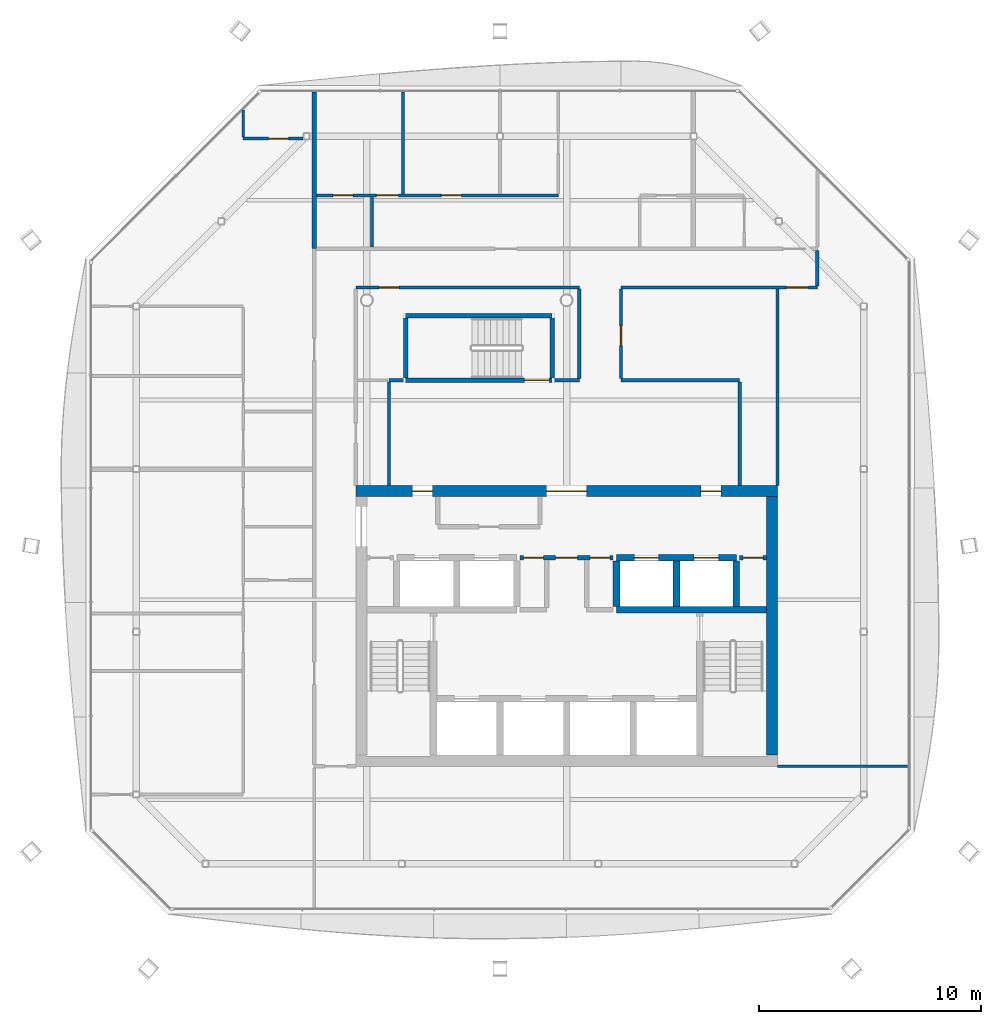
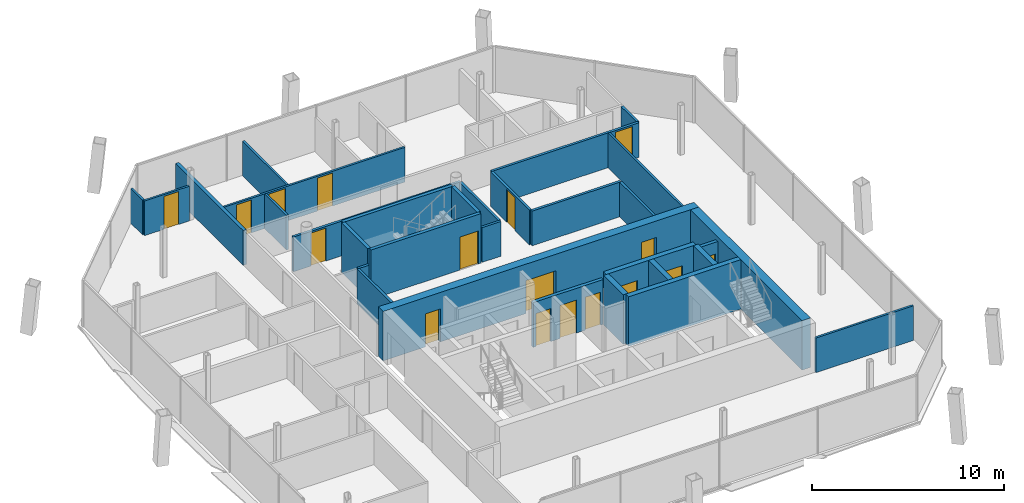
# One storey, part 13 of 17: 31 walls, 17 doors, 17 openings.
"""IFC4 building model written with IfcOpenShell, lengths in metres."""

from ifc_helpers import new_model, si_unit, direction, frame, frame_2d, origin, place, context, subcontext, project, spatial, rectangle, extrude, material, layer, layer_set, type_object, element, fill, save


model = new_model("IFC4")

# Units and contexts
model_context = context("Model", 3, precision=1e-05, world=origin(), true_north=direction((0.0, 1.0)))
body_context = subcontext(model_context, "Body", "Model", "MODEL_VIEW")
ifc_project = project(units=[si_unit("LENGTHUNIT", "METRE"), si_unit("AREAUNIT", "SQUARE_METRE"), si_unit("VOLUMEUNIT", "CUBIC_METRE"), si_unit("PLANEANGLEUNIT", "RADIAN"), si_unit("MASSUNIT", "GRAM", prefix="KILO")], contexts=[model_context])

# Site, building, storey
site_placement = place(None, origin())
site = spatial("IfcSite", under=ifc_project, at=site_placement, CompositionType="ELEMENT")
building_placement = place(site_placement, origin())
building = spatial("IfcBuilding", under=site, at=building_placement, Name="Tskaro Facet Tower", CompositionType="ELEMENT")
storey_placement = place(building_placement, frame((0.0, 0.0, 232.949951171875)))
storey = spatial("IfcBuildingStorey", under=building, at=storey_placement, Name="L60", CompositionType="ELEMENT", Elevation=232.949951171875)

# Wall
ifc_material_1 = material(Name="Concrete C60/75", Category="concrete")
ifc_layer_1 = layer(ifc_material_1, 0.300048828125, Name="Concrete C60/75")
ifc_layer_set_1 = layer_set([ifc_layer_1], Name="Concrete C60/75")
wall_type_1 = type_object("IfcWallType", Name="CORE-SHAFT", PredefinedType="SHEAR", material=ifc_layer_set_1)
wall_1_placement = place(storey_placement, frame((2.25, -4.949951171875, 0.0), z_axis=(0.0, 0.0, 1.0), x_axis=(1.0, 0.0, 0.0)))
element("IfcWall", 1, at=wall_1_placement, inside=storey, type_object=wall_type_1, Name="Shaft wall W011", PredefinedType="SHEAR", context=body_context, shape_type="SweptSolid", body=[
    extrude(rectangle(XDim=6.75, YDim=0.300048828125, at=frame_2d((3.375, 0.0))), origin(), (0.0, 0.0, 1.0), 3.150146484375),
])

# Wall, openings, doors
wall_2_placement = place(storey_placement, frame((2.25, -2.60009765625, 0.0), z_axis=(0.0, 0.0, 1.0), x_axis=(1.0, 0.0, 0.0)))
wall_2 = element("IfcWall", 2, at=wall_2_placement, inside=storey, type_object=wall_type_1, Name="Shaft wall W016", PredefinedType="SHEAR", context=body_context, shape_type="SweptSolid", body=[
    extrude(rectangle(XDim=5.39990234375, YDim=0.300048828125, at=frame_2d((2.699951171875, 0.0))), origin(), (0.0, 0.0, 1.0), 3.150146484375),
])
opening_1_placement = place(wall_2_placement, frame((0.800048828125, 0.0, 0.0)))
opening_1 = element("IfcOpeningElement", 3, at=opening_1_placement, cuts=wall_2, Name="Opening LD-HB3", PredefinedType="OPENING", context=body_context, shape_type="SweptSolid", body=[
    extrude(rectangle(XDim=1.10009765625, YDim=2.10009765625, at=frame_2d((0.550048828125, 1.050048828125))), frame((0.0, 0.159912109375, 0.0), z_axis=(0.0, -1.0, 0.0), x_axis=(1.0, 0.0, 0.0)), (0.0, 0.0, 1.0), 0.320068359375),
])
opening_2_placement = place(wall_2_placement, frame((3.5, 0.0, 0.0)))
opening_2 = element("IfcOpeningElement", 4, at=opening_2_placement, cuts=wall_2, Name="Opening LD-HB4", PredefinedType="OPENING", context=body_context, shape_type="SweptSolid", body=[
    extrude(rectangle(XDim=1.10009765625, YDim=2.10009765625, at=frame_2d((0.550048828125, 1.050048828125))), frame((0.0, 0.159912109375, 0.0), z_axis=(0.0, -1.0, 0.0), x_axis=(1.0, 0.0, 0.0)), (0.0, 0.0, 1.0), 0.320068359375),
])
ifc_material_2 = material(Name="Stainless steel", Category="steel")
door_type_1 = type_object("IfcDoorType", Name="D-LANDING", OperationType="NOTDEFINED", PredefinedType="DOOR", material=ifc_material_2)
door_1_placement = place(opening_1_placement, origin())
door_1 = element("IfcDoor", 5, at=door_1_placement, inside=storey, type_object=door_type_1, Name="Landing door HB3", OperationType="DOUBLE_DOOR_SLIDING", OverallHeight=2.10009765625, OverallWidth=1.10009765625, PredefinedType="DOOR", context=body_context, shape_type="SweptSolid", body=[
    extrude(rectangle(XDim=1.10009765625, YDim=2.10009765625, at=frame_2d((0.550048828125, 1.050048828125))), frame((0.0, 0.02490234375, 0.0), z_axis=(0.0, -1.0, 0.0), x_axis=(1.0, 0.0, 0.0)), (0.0, 0.0, 1.0), 0.050048828125),
])
fill(opening_1, door_1)
door_2_placement = place(opening_2_placement, origin())
door_2 = element("IfcDoor", 6, at=door_2_placement, inside=storey, type_object=door_type_1, Name="Landing door HB4", OperationType="DOUBLE_DOOR_SLIDING", OverallHeight=2.10009765625, OverallWidth=1.10009765625, PredefinedType="DOOR", context=body_context, shape_type="SweptSolid", body=[
    extrude(rectangle(XDim=1.10009765625, YDim=2.10009765625, at=frame_2d((0.550048828125, 1.050048828125))), frame((0.0, 0.02490234375, 0.0), z_axis=(0.0, -1.0, 0.0), x_axis=(1.0, 0.0, 0.0)), (0.0, 0.0, 1.0), 0.050048828125),
])
fill(opening_2, door_2)

# Walls
for number, where, z_axis, x_axis, name in (
    (7, (2.25, -4.800048828125, 0.0), (0.0, 0.0, 1.0), (0.0, 1.0, 0.0), "Shaft wall W063"),
    (8, (4.949951171875, -4.800048828125, 0.0), (0.0, 0.0, 1.0), (0.0, 1.0, 0.0), "Shaft wall W067"),
    (9, (7.64990234375, -4.800048828125, 0.0), (0.0, 0.0, 1.0), (0.0, 1.0, 0.0), "Shaft wall W071"),
):
    element("IfcWall", number, at=place(storey_placement, frame(where, z_axis=z_axis, x_axis=x_axis)), inside=storey, type_object=wall_type_1, Name=name, PredefinedType="SHEAR", context=body_context, shape_type="SweptSolid", body=[
        extrude(rectangle(XDim=2.050048828125, YDim=0.300048828125, at=frame_2d((1.02490234375, 0.0))), origin(), (0.0, 0.0, 1.0), 3.150146484375),
    ])

# Wall, openings, doors
ifc_material_3 = material(Name="Concrete C20/25", Category="concrete")
ifc_layer_2 = layer(ifc_material_3, 0.199951171875, Name="Concrete C20/25")
ifc_layer_set_2 = layer_set([ifc_layer_2], Name="Concrete C20/25")
wall_type_2 = type_object("IfcWallType", Name="CORE-WALL", PredefinedType="SOLIDWALL", material=ifc_layer_set_2)
wall_3_placement = place(storey_placement, frame((2.10009765625, -2.60009765625, 0.0), z_axis=(0.0, 0.0, 1.0), x_axis=(-1.0, 0.0, 0.0)))
wall_3 = element("IfcWall", 10, at=wall_3_placement, inside=storey, type_object=wall_type_2, Name="Core room wall W015", PredefinedType="SOLIDWALL", context=body_context, shape_type="SweptSolid", body=[
    extrude(rectangle(XDim=4.2001953125, YDim=0.199951171875, at=frame_2d((2.10009765625, 0.0))), origin(), (0.0, 0.0, 1.0), 2.85009765625),
])
opening_3_placement = place(wall_3_placement, frame((1.60009765625, 0.0, 0.0)))
opening_3 = element("IfcOpeningElement", 11, at=opening_3_placement, cuts=wall_3, Name="Opening FL-D1", PredefinedType="OPENING", context=body_context, shape_type="SweptSolid", body=[
    extrude(rectangle(XDim=1.0, YDim=2.10009765625, at=frame_2d((0.5, 1.050048828125))), frame((0.0, 0.10986328125, 0.0), z_axis=(0.0, -1.0, 0.0), x_axis=(1.0, 0.0, 0.0)), (0.0, 0.0, 1.0), 0.219970703125),
])
opening_4_placement = place(wall_3_placement, frame((3.14990234375, 0.0, 0.0)))
opening_4 = element("IfcOpeningElement", 12, at=opening_4_placement, cuts=wall_3, Name="Opening T17-D08", PredefinedType="OPENING", context=body_context, shape_type="SweptSolid", body=[
    extrude(rectangle(XDim=0.89990234375, YDim=2.10009765625, at=frame_2d((0.449951171875, 1.050048828125))), frame((0.0, 0.10986328125, 0.0), z_axis=(0.0, -1.0, 0.0), x_axis=(1.0, 0.0, 0.0)), (0.0, 0.0, 1.0), 0.219970703125),
])
opening_5_placement = place(wall_3_placement, frame((0.14990234375, 0.0, 0.0)))
opening_5 = element("IfcOpeningElement", 13, at=opening_5_placement, cuts=wall_3, Name="Opening T17-D09", PredefinedType="OPENING", context=body_context, shape_type="SweptSolid", body=[
    extrude(rectangle(XDim=0.89990234375, YDim=2.10009765625, at=frame_2d((0.449951171875, 1.050048828125))), frame((0.0, 0.10986328125, 0.0), z_axis=(0.0, -1.0, 0.0), x_axis=(1.0, 0.0, 0.0)), (0.0, 0.0, 1.0), 0.219970703125),
])
ifc_material_4 = material(Name="Steel", Category="steel")
door_type_2 = type_object("IfcDoorType", Name="D-LOBBY", OperationType="NOTDEFINED", PredefinedType="DOOR", material=ifc_material_4)
door_3_placement = place(opening_3_placement, origin())
door_3 = element("IfcDoor", 14, at=door_3_placement, inside=storey, type_object=door_type_2, Name="Lobby door FL", OperationType="SINGLE_SWING_RIGHT", OverallHeight=2.10009765625, OverallWidth=1.0, PredefinedType="DOOR", context=body_context, shape_type="SweptSolid", body=[
    extrude(rectangle(XDim=1.0, YDim=2.10009765625, at=frame_2d((0.5, 1.050048828125))), frame((0.0, 0.02490234375, 0.0), z_axis=(0.0, -1.0, 0.0), x_axis=(1.0, 0.0, 0.0)), (0.0, 0.0, 1.0), 0.050048828125),
])
fill(opening_3, door_3)
ifc_material_5 = material(Name="Timber", Category="wood")
door_type_3 = type_object("IfcDoorType", Name="D-ROOM", OperationType="NOTDEFINED", PredefinedType="DOOR", material=ifc_material_5)
door_4_placement = place(opening_4_placement, origin())
door_4 = element("IfcDoor", 15, at=door_4_placement, inside=storey, type_object=door_type_3, Name="Door T17-D08", OperationType="SINGLE_SWING_RIGHT", OverallHeight=2.10009765625, OverallWidth=0.89990234375, PredefinedType="DOOR", context=body_context, shape_type="SweptSolid", body=[
    extrude(rectangle(XDim=0.89990234375, YDim=2.10009765625, at=frame_2d((0.449951171875, 1.050048828125))), frame((0.0, 0.02490234375, 0.0), z_axis=(0.0, -1.0, 0.0), x_axis=(1.0, 0.0, 0.0)), (0.0, 0.0, 1.0), 0.050048828125),
])
fill(opening_4, door_4)
door_5_placement = place(opening_5_placement, origin())
door_5 = element("IfcDoor", 16, at=door_5_placement, inside=storey, type_object=door_type_3, Name="Door T17-D09", OperationType="SINGLE_SWING_RIGHT", OverallHeight=2.10009765625, OverallWidth=0.89990234375, PredefinedType="DOOR", context=body_context, shape_type="SweptSolid", body=[
    extrude(rectangle(XDim=0.89990234375, YDim=2.10009765625, at=frame_2d((0.449951171875, 1.050048828125))), frame((0.0, 0.02490234375, 0.0), z_axis=(0.0, -1.0, 0.0), x_axis=(1.0, 0.0, 0.0)), (0.0, 0.0, 1.0), 0.050048828125),
])
fill(opening_5, door_5)

# Wall, opening, door
wall_4_placement = place(storey_placement, frame((9.0, -2.60009765625, 0.0), z_axis=(0.0, 0.0, 1.0), x_axis=(-1.0, 0.0, 0.0)))
wall_4 = element("IfcWall", 17, at=wall_4_placement, inside=storey, type_object=wall_type_2, Name="Core room wall W017", PredefinedType="SOLIDWALL", context=body_context, shape_type="SweptSolid", body=[
    extrude(rectangle(XDim=1.199951171875, YDim=0.199951171875, at=frame_2d((0.60009765625, 0.0))), origin(), (0.0, 0.0, 1.0), 2.85009765625),
])
opening_6_placement = place(wall_4_placement, frame((0.14990234375, 0.0, 0.0)))
opening_6 = element("IfcOpeningElement", 18, at=opening_6_placement, cuts=wall_4, Name="Opening T17-D10", PredefinedType="OPENING", context=body_context, shape_type="SweptSolid", body=[
    extrude(rectangle(XDim=0.89990234375, YDim=2.10009765625, at=frame_2d((0.449951171875, 1.050048828125))), frame((0.0, 0.10986328125, 0.0), z_axis=(0.0, -1.0, 0.0), x_axis=(1.0, 0.0, 0.0)), (0.0, 0.0, 1.0), 0.219970703125),
])
door_6_placement = place(opening_6_placement, origin())
door_6 = element("IfcDoor", 19, at=door_6_placement, inside=storey, type_object=door_type_3, Name="Door T17-D10", OperationType="SINGLE_SWING_RIGHT", OverallHeight=2.10009765625, OverallWidth=0.89990234375, PredefinedType="DOOR", context=body_context, shape_type="SweptSolid", body=[
    extrude(rectangle(XDim=0.89990234375, YDim=2.10009765625, at=frame_2d((0.449951171875, 1.050048828125))), frame((0.0, 0.02490234375, 0.0), z_axis=(0.0, -1.0, 0.0), x_axis=(1.0, 0.0, 0.0)), (0.0, 0.0, 1.0), 0.050048828125),
])
fill(opening_6, door_6)

# Wall, openings, doors
ifc_material_6 = material(Name="Concrete C40/50", Category="concrete")
ifc_layer_3 = layer(ifc_material_6, 0.5, Name="Concrete C40/50")
ifc_layer_set_3 = layer_set([ifc_layer_3], Name="Concrete C40/50")
wall_type_3 = type_object("IfcWallType", Name="Core wall 500", PredefinedType="SHEAR", material=ifc_layer_set_3)
wall_5_placement = place(storey_placement, frame((-9.5, 0.39990234375, 0.0), z_axis=(0.0, 0.0, 1.0), x_axis=(1.0, 0.0, 0.0)))
wall_5 = element("IfcWall", 20, at=wall_5_placement, inside=storey, type_object=wall_type_3, Name="Core wall CW-Z3N", PredefinedType="SHEAR", context=body_context, shape_type="SweptSolid", body=[
    extrude(rectangle(XDim=19.0, YDim=0.5, at=frame_2d((9.5, 0.0))), origin(), (0.0, 0.0, 1.0), 3.150146484375),
])
opening_7_placement = place(wall_5_placement, frame((8.60009765625, 0.0, 0.0)))
opening_7 = element("IfcOpeningElement", 21, at=opening_7_placement, cuts=wall_5, Name="Opening T17-D15", PredefinedType="OPENING", context=body_context, shape_type="SweptSolid", body=[
    extrude(rectangle(XDim=1.800048828125, YDim=2.10009765625, at=frame_2d((0.89990234375, 1.050048828125))), frame((0.0, 0.260009765625, 0.0), z_axis=(0.0, -1.0, 0.0), x_axis=(1.0, 0.0, 0.0)), (0.0, 0.0, 1.0), 0.52001953125),
])
opening_8_placement = place(wall_5_placement, frame((2.550048828125, 0.0, 0.0)))
opening_8 = element("IfcOpeningElement", 22, at=opening_8_placement, cuts=wall_5, Name="Opening T17-D14", PredefinedType="OPENING", context=body_context, shape_type="SweptSolid", body=[
    extrude(rectangle(XDim=0.89990234375, YDim=2.10009765625, at=frame_2d((0.449951171875, 1.050048828125))), frame((0.0, 0.260009765625, 0.0), z_axis=(0.0, -1.0, 0.0), x_axis=(1.0, 0.0, 0.0)), (0.0, 0.0, 1.0), 0.52001953125),
])
opening_9_placement = place(wall_5_placement, frame((15.550048828125, 0.0, 0.0)))
opening_9 = element("IfcOpeningElement", 23, at=opening_9_placement, cuts=wall_5, Name="Opening T17-D16", PredefinedType="OPENING", context=body_context, shape_type="SweptSolid", body=[
    extrude(rectangle(XDim=0.89990234375, YDim=2.10009765625, at=frame_2d((0.449951171875, 1.050048828125))), frame((0.0, 0.260009765625, 0.0), z_axis=(0.0, -1.0, 0.0), x_axis=(1.0, 0.0, 0.0)), (0.0, 0.0, 1.0), 0.52001953125),
])
door_type_4 = type_object("IfcDoorType", Name="D-CORE-PAIR", OperationType="NOTDEFINED", PredefinedType="DOOR", material=ifc_material_4)
door_7_placement = place(opening_7_placement, origin())
door_7 = element("IfcDoor", 24, at=door_7_placement, inside=storey, type_object=door_type_4, Name="Door T17-D15", OperationType="DOUBLE_DOOR_SINGLE_SWING", OverallHeight=2.10009765625, OverallWidth=1.800048828125, PredefinedType="DOOR", context=body_context, shape_type="SweptSolid", body=[
    extrude(rectangle(XDim=1.800048828125, YDim=2.10009765625, at=frame_2d((0.89990234375, 1.050048828125))), frame((0.0, 0.02490234375, 0.0), z_axis=(0.0, -1.0, 0.0), x_axis=(1.0, 0.0, 0.0)), (0.0, 0.0, 1.0), 0.050048828125),
])
fill(opening_7, door_7)
door_8_placement = place(opening_8_placement, origin())
door_8 = element("IfcDoor", 25, at=door_8_placement, inside=storey, type_object=door_type_3, Name="Door T17-D14", OperationType="SINGLE_SWING_LEFT", OverallHeight=2.10009765625, OverallWidth=0.89990234375, PredefinedType="DOOR", context=body_context, shape_type="SweptSolid", body=[
    extrude(rectangle(XDim=0.89990234375, YDim=2.10009765625, at=frame_2d((0.449951171875, 1.050048828125))), frame((0.0, 0.02490234375, 0.0), z_axis=(0.0, -1.0, 0.0), x_axis=(1.0, 0.0, 0.0)), (0.0, 0.0, 1.0), 0.050048828125),
])
fill(opening_8, door_8)
door_9_placement = place(opening_9_placement, origin())
door_9 = element("IfcDoor", 26, at=door_9_placement, inside=storey, type_object=door_type_3, Name="Door T17-D16", OperationType="SINGLE_SWING_LEFT", OverallHeight=2.10009765625, OverallWidth=0.89990234375, PredefinedType="DOOR", context=body_context, shape_type="SweptSolid", body=[
    extrude(rectangle(XDim=0.89990234375, YDim=2.10009765625, at=frame_2d((0.449951171875, 1.050048828125))), frame((0.0, 0.02490234375, 0.0), z_axis=(0.0, -1.0, 0.0), x_axis=(1.0, 0.0, 0.0)), (0.0, 0.0, 1.0), 0.050048828125),
])
fill(opening_9, door_9)

# Walls
wall_6_placement = place(storey_placement, frame((9.25, -11.5, 0.0), z_axis=(0.0, 0.0, 1.0), x_axis=(0.0, 1.0, 0.0)))
element("IfcWall", 27, at=wall_6_placement, inside=storey, type_object=wall_type_3, Name="Core wall CW-Z3E", PredefinedType="SHEAR", context=body_context, shape_type="SweptSolid", body=[
    extrude(rectangle(XDim=11.64990234375, YDim=0.5, at=frame_2d((5.824951171875, 0.0))), origin(), (0.0, 0.0, 1.0), 3.150146484375),
])
ifc_material_7 = material(Name="Gypsum board on steel studs", Category="steel")
ifc_layer_4 = layer(ifc_material_7, 0.125, Name="Gypsum board on steel studs")
ifc_layer_set_4 = layer_set([ifc_layer_4], Name="Gypsum board on steel studs")
wall_type_4 = type_object("IfcWallType", Name="PART", PredefinedType="PARTITIONING", material=ifc_layer_set_4)
wall_7_placement = place(storey_placement, frame((9.5, -12.0, 0.0), z_axis=(0.0, 0.0, 1.0), x_axis=(1.0, 0.0, 0.0)))
element("IfcWall", 28, at=wall_7_placement, inside=storey, type_object=wall_type_4, Name="Partition W004", PredefinedType="PARTITIONING", context=body_context, shape_type="SweptSolid", body=[
    extrude(rectangle(XDim=5.886962890625, YDim=0.125, at=frame_2d((2.943359375, 0.0))), origin(), (0.0, 0.0, 1.0), 2.2099609375),
])

# Wall, openings, doors
wall_8_placement = place(storey_placement, frame((-11.27490234375, 13.72509765625, 0.0), z_axis=(0.0, 0.0, 1.0), x_axis=(1.0, 0.0, 0.0)))
wall_8 = element("IfcWall", 29, at=wall_8_placement, inside=storey, type_object=wall_type_4, Name="Partition W035", PredefinedType="PARTITIONING", context=body_context, shape_type="SweptSolid", body=[
    extrude(rectangle(XDim=10.89990234375, YDim=0.125, at=frame_2d((5.449951171875, 0.0))), origin(), (0.0, 0.0, 1.0), 2.2099609375),
])
opening_10_placement = place(wall_8_placement, frame((5.637451171875, 0.0, 0.0)))
opening_10 = element("IfcOpeningElement", 30, at=opening_10_placement, cuts=wall_8, Name="Opening T17-D30", PredefinedType="OPENING", context=body_context, shape_type="SweptSolid", body=[
    extrude(rectangle(XDim=0.89990234375, YDim=2.10009765625, at=frame_2d((0.449951171875, 1.050048828125))), frame((0.0, 0.072509765625, 0.0), z_axis=(0.0, -1.0, 0.0), x_axis=(1.0, 0.0, 0.0)), (0.0, 0.0, 1.0), 0.14501953125),
])
opening_11_placement = place(wall_8_placement, frame((2.699951171875, 0.0, 0.0)))
opening_11 = element("IfcOpeningElement", 31, at=opening_11_placement, cuts=wall_8, Name="Opening T17-D29", PredefinedType="OPENING", context=body_context, shape_type="SweptSolid", body=[
    extrude(rectangle(XDim=1.0, YDim=2.10009765625, at=frame_2d((0.5, 1.050048828125))), frame((0.0, 0.072509765625, 0.0), z_axis=(0.0, -1.0, 0.0), x_axis=(1.0, 0.0, 0.0)), (0.0, 0.0, 1.0), 0.14501953125),
])
opening_12_placement = place(wall_8_placement, frame((0.75, 0.0, 0.0)))
opening_12 = element("IfcOpeningElement", 32, at=opening_12_placement, cuts=wall_8, Name="Opening T17-D28", PredefinedType="OPENING", context=body_context, shape_type="SweptSolid", body=[
    extrude(rectangle(XDim=0.89990234375, YDim=2.10009765625, at=frame_2d((0.449951171875, 1.050048828125))), frame((0.0, 0.072509765625, 0.0), z_axis=(0.0, -1.0, 0.0), x_axis=(1.0, 0.0, 0.0)), (0.0, 0.0, 1.0), 0.14501953125),
])
door_10_placement = place(opening_10_placement, origin())
door_10 = element("IfcDoor", 33, at=door_10_placement, inside=storey, type_object=door_type_3, Name="Door T17-D30", OperationType="SINGLE_SWING_LEFT", OverallHeight=2.10009765625, OverallWidth=0.89990234375, PredefinedType="DOOR", context=body_context, shape_type="SweptSolid", body=[
    extrude(rectangle(XDim=0.89990234375, YDim=2.10009765625, at=frame_2d((0.449951171875, 1.050048828125))), frame((0.0, 0.02490234375, 0.0), z_axis=(0.0, -1.0, 0.0), x_axis=(1.0, 0.0, 0.0)), (0.0, 0.0, 1.0), 0.050048828125),
])
fill(opening_10, door_10)
door_11_placement = place(opening_12_placement, origin())
door_11 = element("IfcDoor", 34, at=door_11_placement, inside=storey, type_object=door_type_3, Name="Door T17-D28", OperationType="SINGLE_SWING_RIGHT", OverallHeight=2.10009765625, OverallWidth=0.89990234375, PredefinedType="DOOR", context=body_context, shape_type="SweptSolid", body=[
    extrude(rectangle(XDim=0.89990234375, YDim=2.10009765625, at=frame_2d((0.449951171875, 1.050048828125))), frame((0.0, 0.02490234375, 0.0), z_axis=(0.0, -1.0, 0.0), x_axis=(1.0, 0.0, 0.0)), (0.0, 0.0, 1.0), 0.050048828125),
])
fill(opening_12, door_11)
door_type_5 = type_object("IfcDoorType", Name="D-ROOM-WIDE", OperationType="NOTDEFINED", PredefinedType="DOOR", material=ifc_material_5)
door_12_placement = place(opening_11_placement, origin())
door_12 = element("IfcDoor", 35, at=door_12_placement, inside=storey, type_object=door_type_5, Name="Door T17-D29", OperationType="SINGLE_SWING_RIGHT", OverallHeight=2.10009765625, OverallWidth=1.0, PredefinedType="DOOR", context=body_context, shape_type="SweptSolid", body=[
    extrude(rectangle(XDim=1.0, YDim=2.10009765625, at=frame_2d((0.5, 1.050048828125))), frame((0.0, 0.02490234375, 0.0), z_axis=(0.0, -1.0, 0.0), x_axis=(1.0, 0.0, 0.0)), (0.0, 0.0, 1.0), 0.050048828125),
])
fill(opening_11, door_12)

# Wall, opening, door
wall_9_placement = place(storey_placement, frame((-14.574951171875, 16.284912109375, 0.0), z_axis=(0.0, 0.0, 1.0), x_axis=(1.0, 0.0, 0.0)))
wall_9 = element("IfcWall", 36, at=wall_9_placement, inside=storey, type_object=wall_type_4, Name="Partition W037", PredefinedType="PARTITIONING", context=body_context, shape_type="SweptSolid", body=[
    extrude(rectangle(XDim=2.699951171875, YDim=0.125, at=frame_2d((1.35009765625, 0.0))), origin(), (0.0, 0.0, 1.0), 2.2099609375),
])
opening_13_placement = place(wall_9_placement, frame((1.14990234375, 0.0, 0.0)))
opening_13 = element("IfcOpeningElement", 37, at=opening_13_placement, cuts=wall_9, Name="Opening T17-D33", PredefinedType="OPENING", context=body_context, shape_type="SweptSolid", body=[
    extrude(rectangle(XDim=0.89990234375, YDim=2.10009765625, at=frame_2d((0.449951171875, 1.050048828125))), frame((0.0, 0.072509765625, 0.0), z_axis=(0.0, -1.0, 0.0), x_axis=(1.0, 0.0, 0.0)), (0.0, 0.0, 1.0), 0.14501953125),
])
door_13_placement = place(opening_13_placement, origin())
door_13 = element("IfcDoor", 38, at=door_13_placement, inside=storey, type_object=door_type_3, Name="Door T17-D33", OperationType="SINGLE_SWING_LEFT", OverallHeight=2.10009765625, OverallWidth=0.89990234375, PredefinedType="DOOR", context=body_context, shape_type="SweptSolid", body=[
    extrude(rectangle(XDim=0.89990234375, YDim=2.10009765625, at=frame_2d((0.449951171875, 1.050048828125))), frame((0.0, 0.02490234375, 0.0), z_axis=(0.0, -1.0, 0.0), x_axis=(1.0, 0.0, 0.0)), (0.0, 0.0, 1.0), 0.050048828125),
])
fill(opening_13, door_13)

# Walls
wall_10_placement = place(storey_placement, frame((-14.574951171875, 16.347412109375, 0.0), z_axis=(0.0, 0.0, 1.0), x_axis=(0.0, 1.0, 0.0)))
element("IfcWall", 39, at=wall_10_placement, inside=storey, type_object=wall_type_4, Name="Partition W039", PredefinedType="PARTITIONING", context=body_context, shape_type="SweptSolid", body=[
    extrude(rectangle(XDim=1.2236328125, YDim=0.125, at=frame_2d((0.61181640625, 0.0))), origin(), (0.0, 0.0, 1.0), 2.2099609375),
])
wall_11_placement = place(storey_placement, frame((-8.77490234375, 11.39990234375, 0.0), z_axis=(0.0, 0.0, 1.0), x_axis=(0.0, 1.0, 0.0)))
element("IfcWall", 40, at=wall_11_placement, inside=storey, type_object=wall_type_4, Name="Partition W044", PredefinedType="PARTITIONING", context=body_context, shape_type="SweptSolid", body=[
    extrude(rectangle(XDim=2.2626953125, YDim=0.125, at=frame_2d((1.13134765625, 0.0))), origin(), (0.0, 0.0, 1.0), 2.2099609375),
])
wall_12_placement = place(storey_placement, frame((-7.375, 13.78759765625, 0.0), z_axis=(0.0, 0.0, 1.0), x_axis=(0.0, 1.0, 0.0)))
element("IfcWall", 41, at=wall_12_placement, inside=storey, type_object=wall_type_4, Name="Partition W047", PredefinedType="PARTITIONING", context=body_context, shape_type="SweptSolid", body=[
    extrude(rectangle(XDim=4.597412109375, YDim=0.125, at=frame_2d((2.298828125, 0.0))), origin(), (0.0, 0.0, 1.0), 2.2099609375),
])
wall_13_placement = place(storey_placement, frame((9.5, 0.64990234375, 0.0), z_axis=(0.0, 0.0, 1.0), x_axis=(0.0, 1.0, 0.0)))
element("IfcWall", 42, at=wall_13_placement, inside=storey, type_object=wall_type_4, Name="Partition W074", PredefinedType="PARTITIONING", context=body_context, shape_type="SweptSolid", body=[
    extrude(rectangle(XDim=8.85009765625, YDim=0.125, at=frame_2d((4.425048828125, 0.0))), origin(), (0.0, 0.0, 1.0), 2.2099609375),
])
ifc_layer_5 = layer(ifc_material_7, 0.14990234375, Name="Gypsum board on steel studs")
ifc_layer_set_5 = layer_set([ifc_layer_5], Name="Gypsum board on steel studs")
wall_type_5 = type_object("IfcWallType", Name="PART-CORR", PredefinedType="PARTITIONING", material=ifc_layer_set_5)
wall_14_placement = place(storey_placement, frame((-8.0, 5.39990234375, 0.0), z_axis=(0.0, 0.0, 1.0), x_axis=(1.0, 0.0, 0.0)))
element("IfcWall", 43, at=wall_14_placement, inside=storey, type_object=wall_type_5, Name="Corridor wall W024", PredefinedType="PARTITIONING", context=body_context, shape_type="SweptSolid", body=[
    extrude(rectangle(XDim=0.64990234375, YDim=0.14990234375, at=frame_2d((0.324951171875, 0.0))), origin(), (0.0, 0.0, 1.0), 2.2099609375),
])
wall_15_placement = place(storey_placement, frame((-0.550048828125, 5.39990234375, 0.0), z_axis=(0.0, 0.0, 1.0), x_axis=(1.0, 0.0, 0.0)))
element("IfcWall", 44, at=wall_15_placement, inside=storey, type_object=wall_type_5, Name="Corridor wall W026", PredefinedType="PARTITIONING", context=body_context, shape_type="SweptSolid", body=[
    extrude(rectangle(XDim=1.125, YDim=0.14990234375, at=frame_2d((0.5625, 0.0))), origin(), (0.0, 0.0, 1.0), 2.2099609375),
])
wall_16_placement = place(storey_placement, frame((2.449951171875, 5.39990234375, 0.0), z_axis=(0.0, 0.0, 1.0), x_axis=(1.0, 0.0, 0.0)))
element("IfcWall", 45, at=wall_16_placement, inside=storey, type_object=wall_type_5, Name="Corridor wall W027", PredefinedType="PARTITIONING", context=body_context, shape_type="SweptSolid", body=[
    extrude(rectangle(XDim=5.35009765625, YDim=0.14990234375, at=frame_2d((2.675048828125, 0.0))), origin(), (0.0, 0.0, 1.0), 2.2099609375),
])

# Wall, opening, door
wall_17_placement = place(storey_placement, frame((0.574951171875, 9.574951171875, 0.0), z_axis=(0.0, 0.0, 1.0), x_axis=(-1.0, 0.0, 0.0)))
wall_17 = element("IfcWall", 46, at=wall_17_placement, inside=storey, type_object=wall_type_5, Name="Corridor wall W032", PredefinedType="PARTITIONING", context=body_context, shape_type="SweptSolid", body=[
    extrude(rectangle(XDim=10.074951171875, YDim=0.14990234375, at=frame_2d((5.03759765625, 0.0))), origin(), (0.0, 0.0, 1.0), 2.2099609375),
])
opening_14_placement = place(wall_17_placement, frame((8.125, 0.0, 0.0)))
opening_14 = element("IfcOpeningElement", 47, at=opening_14_placement, cuts=wall_17, Name="Opening T17-D23", PredefinedType="OPENING", context=body_context, shape_type="SweptSolid", body=[
    extrude(rectangle(XDim=0.89990234375, YDim=2.10009765625, at=frame_2d((0.449951171875, 1.050048828125))), frame((0.0, 0.0849609375, 0.0), z_axis=(0.0, -1.0, 0.0), x_axis=(1.0, 0.0, 0.0)), (0.0, 0.0, 1.0), 0.169921875),
])
door_14_placement = place(opening_14_placement, origin())
door_14 = element("IfcDoor", 48, at=door_14_placement, inside=storey, type_object=door_type_3, Name="Door T17-D23", OperationType="SINGLE_SWING_RIGHT", OverallHeight=2.10009765625, OverallWidth=0.89990234375, PredefinedType="DOOR", context=body_context, shape_type="SweptSolid", body=[
    extrude(rectangle(XDim=0.89990234375, YDim=2.10009765625, at=frame_2d((0.449951171875, 1.050048828125))), frame((0.0, 0.02490234375, 0.0), z_axis=(0.0, -1.0, 0.0), x_axis=(1.0, 0.0, 0.0)), (0.0, 0.0, 1.0), 0.050048828125),
])
fill(opening_14, door_14)

wall_18_placement = place(storey_placement, frame((11.300048828125, 9.574951171875, 0.0), z_axis=(0.0, 0.0, 1.0), x_axis=(-1.0, 0.0, 0.0)))
wall_18 = element("IfcWall", 49, at=wall_18_placement, inside=storey, type_object=wall_type_5, Name="Corridor wall W033", PredefinedType="PARTITIONING", context=body_context, shape_type="SweptSolid", body=[
    extrude(rectangle(XDim=8.85009765625, YDim=0.14990234375, at=frame_2d((4.425048828125, 0.0))), origin(), (0.0, 0.0, 1.0), 2.2099609375),
])
opening_15_placement = place(wall_18_placement, frame((0.39990234375, 0.0, 0.0)))
opening_15 = element("IfcOpeningElement", 50, at=opening_15_placement, cuts=wall_18, Name="Opening T17-D24", PredefinedType="OPENING", context=body_context, shape_type="SweptSolid", body=[
    extrude(rectangle(XDim=1.0, YDim=2.10009765625, at=frame_2d((0.5, 1.050048828125))), frame((0.0, 0.0849609375, 0.0), z_axis=(0.0, -1.0, 0.0), x_axis=(1.0, 0.0, 0.0)), (0.0, 0.0, 1.0), 0.169921875),
])
door_15_placement = place(opening_15_placement, origin())
door_15 = element("IfcDoor", 51, at=door_15_placement, inside=storey, type_object=door_type_5, Name="Door T17-D24", OperationType="SINGLE_SWING_RIGHT", OverallHeight=2.10009765625, OverallWidth=1.0, PredefinedType="DOOR", context=body_context, shape_type="SweptSolid", body=[
    extrude(rectangle(XDim=1.0, YDim=2.10009765625, at=frame_2d((0.5, 1.050048828125))), frame((0.0, 0.02490234375, 0.0), z_axis=(0.0, -1.0, 0.0), x_axis=(1.0, 0.0, 0.0)), (0.0, 0.0, 1.0), 0.050048828125),
])
fill(opening_15, door_15)

# Walls
wall_19_placement = place(storey_placement, frame((-8.0, 0.64990234375, 0.0), z_axis=(0.0, 0.0, 1.0), x_axis=(0.0, 1.0, 0.0)))
element("IfcWall", 52, at=wall_19_placement, inside=storey, type_object=wall_type_5, Name="Corridor wall W045", PredefinedType="PARTITIONING", context=body_context, shape_type="SweptSolid", body=[
    extrude(rectangle(XDim=4.675048828125, YDim=0.14990234375, at=frame_2d((2.33740234375, 0.0))), origin(), (0.0, 0.0, 1.0), 2.2099609375),
])
wall_20_placement = place(storey_placement, frame((0.574951171875, 5.47509765625, 0.0), z_axis=(0.0, 0.0, 1.0), x_axis=(0.0, 1.0, 0.0)))
element("IfcWall", 53, at=wall_20_placement, inside=storey, type_object=wall_type_5, Name="Corridor wall W061", PredefinedType="PARTITIONING", context=body_context, shape_type="SweptSolid", body=[
    extrude(rectangle(XDim=4.02490234375, YDim=0.14990234375, at=frame_2d((2.012451171875, 0.0))), origin(), (0.0, 0.0, 1.0), 2.2099609375),
])

# Wall, opening, door
wall_21_placement = place(storey_placement, frame((2.449951171875, 9.5, 0.0), z_axis=(0.0, 0.0, 1.0), x_axis=(0.0, -1.0, 0.0)))
wall_21 = element("IfcWall", 54, at=wall_21_placement, inside=storey, type_object=wall_type_5, Name="Corridor wall W064", PredefinedType="PARTITIONING", context=body_context, shape_type="SweptSolid", body=[
    extrude(rectangle(XDim=4.02490234375, YDim=0.14990234375, at=frame_2d((2.012451171875, 0.0))), origin(), (0.0, 0.0, 1.0), 2.2099609375),
])
opening_16_placement = place(wall_21_placement, frame((1.64990234375, 0.0, 0.0)))
opening_16 = element("IfcOpeningElement", 55, at=opening_16_placement, cuts=wall_21, Name="Opening T17-D21", PredefinedType="OPENING", context=body_context, shape_type="SweptSolid", body=[
    extrude(rectangle(XDim=0.89990234375, YDim=2.10009765625, at=frame_2d((0.449951171875, 1.050048828125))), frame((0.0, 0.0849609375, 0.0), z_axis=(0.0, -1.0, 0.0), x_axis=(1.0, 0.0, 0.0)), (0.0, 0.0, 1.0), 0.169921875),
])
door_16_placement = place(opening_16_placement, origin())
door_16 = element("IfcDoor", 56, at=door_16_placement, inside=storey, type_object=door_type_3, Name="Door T17-D21", OperationType="SINGLE_SWING_RIGHT", OverallHeight=2.10009765625, OverallWidth=0.89990234375, PredefinedType="DOOR", context=body_context, shape_type="SweptSolid", body=[
    extrude(rectangle(XDim=0.89990234375, YDim=2.10009765625, at=frame_2d((0.449951171875, 1.050048828125))), frame((0.0, 0.02490234375, 0.0), z_axis=(0.0, -1.0, 0.0), x_axis=(1.0, 0.0, 0.0)), (0.0, 0.0, 1.0), 0.050048828125),
])
fill(opening_16, door_16)

# Walls
wall_22_placement = place(storey_placement, frame((7.800048828125, 0.64990234375, 0.0), z_axis=(0.0, 0.0, 1.0), x_axis=(0.0, 1.0, 0.0)))
element("IfcWall", 57, at=wall_22_placement, inside=storey, type_object=wall_type_5, Name="Corridor wall W072", PredefinedType="PARTITIONING", context=body_context, shape_type="SweptSolid", body=[
    extrude(rectangle(XDim=4.675048828125, YDim=0.14990234375, at=frame_2d((2.33740234375, 0.0))), origin(), (0.0, 0.0, 1.0), 2.2099609375),
])
wall_23_placement = place(storey_placement, frame((11.300048828125, 9.64990234375, 0.0), z_axis=(0.0, 0.0, 1.0), x_axis=(0.0, 1.0, 0.0)))
element("IfcWall", 58, at=wall_23_placement, inside=storey, type_object=wall_type_5, Name="Corridor wall W075", PredefinedType="PARTITIONING", context=body_context, shape_type="SweptSolid", body=[
    extrude(rectangle(XDim=1.60009765625, YDim=0.14990234375, at=frame_2d((0.800048828125, 0.0))), origin(), (0.0, 0.0, 1.0), 2.2099609375),
])
ifc_layer_6 = layer(ifc_material_7, 0.199951171875, Name="Gypsum board on steel studs")
ifc_layer_set_6 = layer_set([ifc_layer_6], Name="Gypsum board on steel studs")
wall_type_6 = type_object("IfcWallType", Name="PART-DEMISING", PredefinedType="PARTITIONING", material=ifc_layer_set_6)
wall_24_placement = place(storey_placement, frame((-11.375, 11.324951171875, 0.0), z_axis=(0.0, 0.0, 1.0), x_axis=(0.0, 1.0, 0.0)))
element("IfcWall", 59, at=wall_24_placement, inside=storey, type_object=wall_type_6, Name="Guest room wall W042", PredefinedType="PARTITIONING", context=body_context, shape_type="SweptSolid", body=[
    extrude(rectangle(XDim=7.06005859375, YDim=0.199951171875, at=frame_2d((3.530029296875, 0.0))), origin(), (0.0, 0.0, 1.0), 2.2099609375),
])

# Wall, opening, door
ifc_layer_7 = layer(ifc_material_1, 0.199951171875, Name="Concrete C60/75")
ifc_layer_set_7 = layer_set([ifc_layer_7], Name="Concrete C60/75")
wall_type_7 = type_object("IfcWallType", Name="STAIR-WALL", PredefinedType="SHEAR", material=ifc_layer_set_7)
wall_25_placement = place(storey_placement, frame((-7.25, 5.39990234375, 0.0), z_axis=(0.0, 0.0, 1.0), x_axis=(1.0, 0.0, 0.0)))
wall_25 = element("IfcWall", 60, at=wall_25_placement, inside=storey, type_object=wall_type_7, Name="Stair wall W025", PredefinedType="SHEAR", context=body_context, shape_type="SweptSolid", body=[
    extrude(rectangle(XDim=6.60009765625, YDim=0.199951171875, at=frame_2d((3.300048828125, 0.0))), origin(), (0.0, 0.0, 1.0), 3.150146484375),
])
opening_17_placement = place(wall_25_placement, frame((5.35009765625, 0.0, 0.0)))
opening_17 = element("IfcOpeningElement", 61, at=opening_17_placement, cuts=wall_25, Name="Opening ST-3-D1", PredefinedType="OPENING", context=body_context, shape_type="SweptSolid", body=[
    extrude(rectangle(XDim=1.10009765625, YDim=2.10009765625, at=frame_2d((0.550048828125, 1.050048828125))), frame((0.0, 0.10986328125, 0.0), z_axis=(0.0, -1.0, 0.0), x_axis=(1.0, 0.0, 0.0)), (0.0, 0.0, 1.0), 0.219970703125),
])
door_type_6 = type_object("IfcDoorType", Name="D-STAIR", OperationType="NOTDEFINED", PredefinedType="DOOR", material=ifc_material_4)
door_17_placement = place(opening_17_placement, origin())
door_17 = element("IfcDoor", 62, at=door_17_placement, inside=storey, type_object=door_type_6, Name="Stair door 3", OperationType="SINGLE_SWING_LEFT", OverallHeight=2.10009765625, OverallWidth=1.10009765625, PredefinedType="DOOR", context=body_context, shape_type="SweptSolid", body=[
    extrude(rectangle(XDim=1.10009765625, YDim=2.10009765625, at=frame_2d((0.550048828125, 1.050048828125))), frame((0.0, 0.02490234375, 0.0), z_axis=(0.0, -1.0, 0.0), x_axis=(1.0, 0.0, 0.0)), (0.0, 0.0, 1.0), 0.050048828125),
])
fill(opening_17, door_17)

# Walls
wall_26_placement = place(storey_placement, frame((-7.25, 8.300048828125, 0.0), z_axis=(0.0, 0.0, 1.0), x_axis=(1.0, 0.0, 0.0)))
element("IfcWall", 63, at=wall_26_placement, inside=storey, type_object=wall_type_7, Name="Stair wall W029", PredefinedType="SHEAR", context=body_context, shape_type="SweptSolid", body=[
    extrude(rectangle(XDim=6.60009765625, YDim=0.199951171875, at=frame_2d((3.300048828125, 0.0))), origin(), (0.0, 0.0, 1.0), 3.150146484375),
])
for number, where, z_axis, x_axis, name in (
    (64, (-7.25, 5.5, 0.0), (0.0, 0.0, 1.0), (0.0, 1.0, 0.0), "Stair wall W048"),
    (65, (-0.64990234375, 5.5, 0.0), (0.0, 0.0, 1.0), (0.0, 1.0, 0.0), "Stair wall W058"),
):
    element("IfcWall", number, at=place(storey_placement, frame(where, z_axis=z_axis, x_axis=x_axis)), inside=storey, type_object=wall_type_7, Name=name, PredefinedType="SHEAR", context=body_context, shape_type="SweptSolid", body=[
        extrude(rectangle(XDim=2.699951171875, YDim=0.199951171875, at=frame_2d((1.35009765625, 0.0))), origin(), (0.0, 0.0, 1.0), 3.150146484375),
    ])

save(model, "model.ifc")
